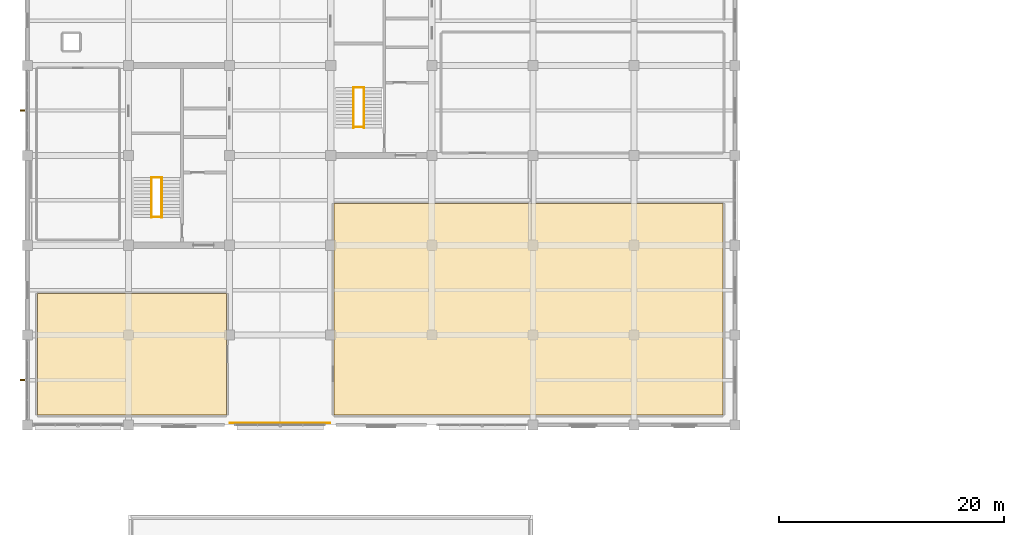
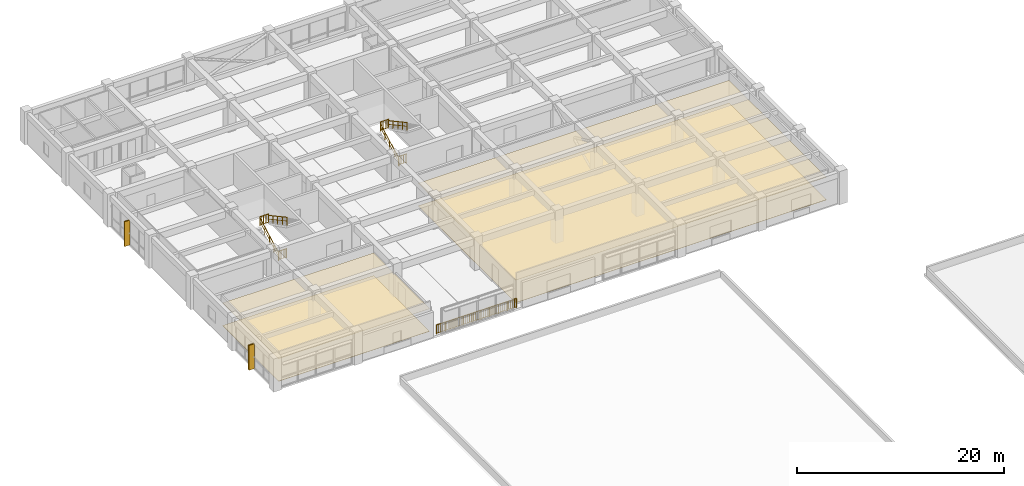
# One storey, part 22 of 23: 9 railings, 4 coverings, 2 shading devices.
"""IFC4 building model written with IfcOpenShell, lengths in metres."""

from ifc_helpers import new_model, si_unit, direction, frame, frame_2d, origin, origin_2d, place, context, subcontext, project, spatial, polyline, rectangle, circle, outline, extrude, material, layer, layer_set, type_object, element, save


model = new_model("IFC4")

# Units and contexts
model_context = context("Model", 3, precision=1e-05, world=origin(), true_north=direction((0.0, 1.0)))
body_context = subcontext(model_context, "Body", "Model", "MODEL_VIEW")
ifc_project = project(units=[si_unit("LENGTHUNIT", "METRE"), si_unit("AREAUNIT", "SQUARE_METRE"), si_unit("VOLUMEUNIT", "CUBIC_METRE"), si_unit("PLANEANGLEUNIT", "RADIAN"), si_unit("MASSUNIT", "GRAM", prefix="KILO")], contexts=[model_context])

# Site, building, storey
site_placement = place(None, origin())
site = spatial("IfcSite", under=ifc_project, at=site_placement, CompositionType="ELEMENT")
building_placement = place(site_placement, origin())
building = spatial("IfcBuilding", under=site, at=building_placement, Name="Zaverband Oceanarium and Marine Research Institute", CompositionType="ELEMENT")
storey_placement = place(building_placement, frame((0.0, 0.0, 21.89990234375)))
storey = spatial("IfcBuildingStorey", under=building, at=storey_placement, Name="L05", CompositionType="ELEMENT", Elevation=21.89990234375)

# Coverings
ifc_material_1 = material(Name="Perforated mineral-fibre acoustic ceiling tile")
ifc_layer_1 = layer(ifc_material_1, 0.02490234375, Name="Perforated mineral-fibre acoustic ceiling tile")
ifc_layer_set_1 = layer_set([ifc_layer_1], Name="Perforated mineral-fibre acoustic ceiling tile")
covering_type_1 = type_object("IfcCoveringType", Name="CLG-AC-15", PredefinedType="CEILING", material=ifc_layer_set_1)
covering_1_placement = place(storey_placement, frame((0.0, 0.0, 2.66015625)))
element("IfcCovering", 1, at=covering_1_placement, inside=storey, type_object=covering_type_1, Name="Suspended acoustic ceiling CLG-AC-15", PredefinedType="CEILING", context=body_context, shape_type="SweptSolid", body=[
    extrude(outline(polyline([(9.889892578125, 64.889892578125), (26.7099609375, 64.889892578125), (26.7099609375, 75.7099609375), (9.889892578125, 75.7099609375), (9.889892578125, 64.889892578125)])), origin(), (0.0, 0.0, 1.0), 0.02490234375),
])
covering_2_placement = place(storey_placement, frame((0.0, 0.0, 2.66015625)))
element("IfcCovering", 2, at=covering_2_placement, inside=storey, type_object=covering_type_1, Name="Suspended acoustic ceiling CLG-AC-15", PredefinedType="CEILING", context=body_context, shape_type="SweptSolid", body=[
    extrude(outline(polyline([(36.2900390625, 64.889892578125), (70.909912109375, 64.889892578125), (70.909912109375, 83.7099609375), (36.2900390625, 83.7099609375), (36.2900390625, 64.889892578125)])), origin(), (0.0, 0.0, 1.0), 0.02490234375),
])
ifc_material_2 = material(Name="Polished marine terrazzo and seamless laboratory epoxy flooring")
ifc_layer_2 = layer(ifc_material_2, 0.02490234375, Name="Polished marine terrazzo and seamless laboratory epoxy flooring")
ifc_layer_set_2 = layer_set([ifc_layer_2], Name="Polished marine terrazzo and seamless laboratory epoxy flooring")
covering_type_2 = type_object("IfcCoveringType", Name="FLR-TRZ-20", PredefinedType="FLOORING", material=ifc_layer_set_2)
covering_3_placement = place(storey_placement, origin())
element("IfcCovering", 3, at=covering_3_placement, inside=storey, type_object=covering_type_2, Name="Terrazzo and marine epoxy floor finish FLR-TRZ-20", PredefinedType="FLOORING", context=body_context, shape_type="SweptSolid", body=[
    extrude(outline(polyline([(9.889892578125, 64.889892578125), (26.7099609375, 64.889892578125), (26.7099609375, 75.7099609375), (9.889892578125, 75.7099609375), (9.889892578125, 64.889892578125)])), origin(), (0.0, 0.0, 1.0), 0.025146484375),
])
covering_4_placement = place(storey_placement, origin())
element("IfcCovering", 4, at=covering_4_placement, inside=storey, type_object=covering_type_2, Name="Terrazzo and marine epoxy floor finish FLR-TRZ-20", PredefinedType="FLOORING", context=body_context, shape_type="SweptSolid", body=[
    extrude(outline(polyline([(36.2900390625, 64.889892578125), (70.909912109375, 64.889892578125), (70.909912109375, 83.7099609375), (36.2900390625, 83.7099609375), (36.2900390625, 64.889892578125)])), origin(), (0.0, 0.0, 1.0), 0.025146484375),
])

# Railings
ifc_material_3 = material(Name="Steel S355", Category="steel")
ifc_layer_3 = layer(ifc_material_3, 0.06005859375, Name="Steel S355")
ifc_layer_set_3 = layer_set([ifc_layer_3], Name="Steel S355")
railing_type_1 = type_object("IfcRailingType", Name="GRD-1100", PredefinedType="BALUSTRADE", material=ifc_layer_set_3)
for number, where, name in (
    (5, (20.0400390625, 86.030029296875, 1.9501953125), "1100 mm steel post-and-baluster safety guard GRD-1100"),
    (6, (20.0400390625, 82.530029296875, 0.0), "1100 mm steel post-and-baluster safety guard GRD-1100"),
    (7, (38.0400390625, 94.030029296875, 1.9501953125), "1100 mm steel post-and-baluster safety guard GRD-1100"),
    (8, (38.0400390625, 90.530029296875, 0.0), "1100 mm steel post-and-baluster safety guard GRD-1100"),
):
    element("IfcRailing", number, at=place(storey_placement, frame(where)), inside=storey, type_object=railing_type_1, Name=name, PredefinedType="BALUSTRADE", context=body_context, shape_type="SweptSolid", body=[
        extrude(circle(Radius=0.02392578125, at=origin_2d()), frame((0.0, 0.0, 1.076171875), z_axis=(1.0, 0.0, 0.0), x_axis=(0.0, 1.0, 0.0)), (0.0, 0.0, 1.0), 0.919921875),
        extrude(circle(Radius=0.009033203125, at=origin_2d()), frame((0.0, 0.0, 0.10009765625), z_axis=(1.0, 0.0, 0.0), x_axis=(0.0, 1.0, 0.0)), (0.0, 0.0, 1.0), 0.919921875),
        extrude(circle(Radius=0.009033203125, at=origin_2d()), frame((0.18408203125, 0.0, 0.10009765625)), (0.0, 0.0, 1.0), 0.951904296875),
        extrude(circle(Radius=0.009033203125, at=origin_2d()), frame((0.367919921875, 0.0, 0.10009765625)), (0.0, 0.0, 1.0), 0.951904296875),
        extrude(circle(Radius=0.009033203125, at=origin_2d()), frame((0.552001953125, 0.0, 0.10009765625)), (0.0, 0.0, 1.0), 0.951904296875),
        extrude(circle(Radius=0.009033203125, at=origin_2d()), frame((0.73583984375, 0.0, 0.10009765625)), (0.0, 0.0, 1.0), 0.951904296875),
        extrude(circle(Radius=0.02099609375, at=origin_2d()), origin(), (0.0, 0.0, 1.0), 1.052001953125),
        extrude(circle(Radius=0.02099609375, at=origin_2d()), frame((0.919921875, 0.0, 0.0)), (0.0, 0.0, 1.0), 1.052001953125),
    ])
railing_1_placement = place(storey_placement, frame((27.050048828125, 64.179931640625, 0.0)))
element("IfcRailing", 9, at=railing_1_placement, inside=storey, type_object=railing_type_1, Name="1100 mm steel post-and-baluster safety guard GRD-1100", PredefinedType="BALUSTRADE", context=body_context, shape_type="SweptSolid", body=[
    extrude(circle(Radius=0.02392578125, at=origin_2d()), frame((0.0, 0.0, 1.076171875), z_axis=(1.0, 0.0, 0.0), x_axis=(0.0, 1.0, 0.0)), (0.0, 0.0, 1.0), 8.89990234375),
    extrude(circle(Radius=0.009033203125, at=origin_2d()), frame((0.0, 0.0, 0.10009765625), z_axis=(1.0, 0.0, 0.0), x_axis=(0.0, 1.0, 0.0)), (0.0, 0.0, 1.0), 8.89990234375),
    extrude(circle(Radius=0.009033203125, at=origin_2d()), frame((0.217041015625, 0.0, 0.10009765625)), (0.0, 0.0, 1.0), 0.951904296875),
    extrude(circle(Radius=0.009033203125, at=origin_2d()), frame((0.43408203125, 0.0, 0.10009765625)), (0.0, 0.0, 1.0), 0.951904296875),
    extrude(circle(Radius=0.009033203125, at=origin_2d()), frame((0.651123046875, 0.0, 0.10009765625)), (0.0, 0.0, 1.0), 0.951904296875),
    extrude(circle(Radius=0.009033203125, at=origin_2d()), frame((0.8681640625, 0.0, 0.10009765625)), (0.0, 0.0, 1.0), 0.951904296875),
    extrude(circle(Radius=0.009033203125, at=origin_2d()), frame((1.08544921875, 0.0, 0.10009765625)), (0.0, 0.0, 1.0), 0.951904296875),
    extrude(circle(Radius=0.009033203125, at=origin_2d()), frame((1.302490234375, 0.0, 0.10009765625)), (0.0, 0.0, 1.0), 0.951904296875),
    extrude(circle(Radius=0.009033203125, at=origin_2d()), frame((1.51953125, 0.0, 0.10009765625)), (0.0, 0.0, 1.0), 0.951904296875),
    extrude(circle(Radius=0.009033203125, at=origin_2d()), frame((1.736572265625, 0.0, 0.10009765625)), (0.0, 0.0, 1.0), 0.951904296875),
    extrude(circle(Radius=0.009033203125, at=origin_2d()), frame((1.95361328125, 0.0, 0.10009765625)), (0.0, 0.0, 1.0), 0.951904296875),
    extrude(circle(Radius=0.009033203125, at=origin_2d()), frame((2.170654296875, 0.0, 0.10009765625)), (0.0, 0.0, 1.0), 0.951904296875),
    extrude(circle(Radius=0.009033203125, at=origin_2d()), frame((2.3876953125, 0.0, 0.10009765625)), (0.0, 0.0, 1.0), 0.951904296875),
    extrude(circle(Radius=0.009033203125, at=origin_2d()), frame((2.604736328125, 0.0, 0.10009765625)), (0.0, 0.0, 1.0), 0.951904296875),
    extrude(circle(Radius=0.009033203125, at=origin_2d()), frame((2.822021484375, 0.0, 0.10009765625)), (0.0, 0.0, 1.0), 0.951904296875),
    extrude(circle(Radius=0.009033203125, at=origin_2d()), frame((3.0390625, 0.0, 0.10009765625)), (0.0, 0.0, 1.0), 0.951904296875),
    extrude(circle(Radius=0.009033203125, at=origin_2d()), frame((3.256103515625, 0.0, 0.10009765625)), (0.0, 0.0, 1.0), 0.951904296875),
    extrude(circle(Radius=0.009033203125, at=origin_2d()), frame((3.47314453125, 0.0, 0.10009765625)), (0.0, 0.0, 1.0), 0.951904296875),
    extrude(circle(Radius=0.009033203125, at=origin_2d()), frame((3.690185546875, 0.0, 0.10009765625)), (0.0, 0.0, 1.0), 0.951904296875),
    extrude(circle(Radius=0.009033203125, at=origin_2d()), frame((3.9072265625, 0.0, 0.10009765625)), (0.0, 0.0, 1.0), 0.951904296875),
    extrude(circle(Radius=0.009033203125, at=origin_2d()), frame((4.124267578125, 0.0, 0.10009765625)), (0.0, 0.0, 1.0), 0.951904296875),
    extrude(circle(Radius=0.009033203125, at=origin_2d()), frame((4.34130859375, 0.0, 0.10009765625)), (0.0, 0.0, 1.0), 0.951904296875),
    extrude(circle(Radius=0.009033203125, at=origin_2d()), frame((4.55859375, 0.0, 0.10009765625)), (0.0, 0.0, 1.0), 0.951904296875),
    extrude(circle(Radius=0.009033203125, at=origin_2d()), frame((4.775634765625, 0.0, 0.10009765625)), (0.0, 0.0, 1.0), 0.951904296875),
    extrude(circle(Radius=0.009033203125, at=origin_2d()), frame((4.99267578125, 0.0, 0.10009765625)), (0.0, 0.0, 1.0), 0.951904296875),
    extrude(circle(Radius=0.009033203125, at=origin_2d()), frame((5.209716796875, 0.0, 0.10009765625)), (0.0, 0.0, 1.0), 0.951904296875),
    extrude(circle(Radius=0.009033203125, at=origin_2d()), frame((5.4267578125, 0.0, 0.10009765625)), (0.0, 0.0, 1.0), 0.951904296875),
    extrude(circle(Radius=0.009033203125, at=origin_2d()), frame((5.643798828125, 0.0, 0.10009765625)), (0.0, 0.0, 1.0), 0.951904296875),
    extrude(circle(Radius=0.009033203125, at=origin_2d()), frame((5.86083984375, 0.0, 0.10009765625)), (0.0, 0.0, 1.0), 0.951904296875),
    extrude(circle(Radius=0.009033203125, at=origin_2d()), frame((6.077880859375, 0.0, 0.10009765625)), (0.0, 0.0, 1.0), 0.951904296875),
    extrude(circle(Radius=0.009033203125, at=origin_2d()), frame((6.295166015625, 0.0, 0.10009765625)), (0.0, 0.0, 1.0), 0.951904296875),
    extrude(circle(Radius=0.009033203125, at=origin_2d()), frame((6.51220703125, 0.0, 0.10009765625)), (0.0, 0.0, 1.0), 0.951904296875),
    extrude(circle(Radius=0.009033203125, at=origin_2d()), frame((6.729248046875, 0.0, 0.10009765625)), (0.0, 0.0, 1.0), 0.951904296875),
    extrude(circle(Radius=0.009033203125, at=origin_2d()), frame((6.9462890625, 0.0, 0.10009765625)), (0.0, 0.0, 1.0), 0.951904296875),
    extrude(circle(Radius=0.009033203125, at=origin_2d()), frame((7.163330078125, 0.0, 0.10009765625)), (0.0, 0.0, 1.0), 0.951904296875),
    extrude(circle(Radius=0.009033203125, at=origin_2d()), frame((7.38037109375, 0.0, 0.10009765625)), (0.0, 0.0, 1.0), 0.951904296875),
    extrude(circle(Radius=0.009033203125, at=origin_2d()), frame((7.597412109375, 0.0, 0.10009765625)), (0.0, 0.0, 1.0), 0.951904296875),
    extrude(circle(Radius=0.009033203125, at=origin_2d()), frame((7.814453125, 0.0, 0.10009765625)), (0.0, 0.0, 1.0), 0.951904296875),
    extrude(circle(Radius=0.009033203125, at=origin_2d()), frame((8.03173828125, 0.0, 0.10009765625)), (0.0, 0.0, 1.0), 0.951904296875),
    extrude(circle(Radius=0.009033203125, at=origin_2d()), frame((8.248779296875, 0.0, 0.10009765625)), (0.0, 0.0, 1.0), 0.951904296875),
    extrude(circle(Radius=0.009033203125, at=origin_2d()), frame((8.4658203125, 0.0, 0.10009765625)), (0.0, 0.0, 1.0), 0.951904296875),
    extrude(circle(Radius=0.009033203125, at=origin_2d()), frame((8.682861328125, 0.0, 0.10009765625)), (0.0, 0.0, 1.0), 0.951904296875),
    extrude(circle(Radius=0.02099609375, at=origin_2d()), origin(), (0.0, 0.0, 1.0), 1.052001953125),
    extrude(circle(Radius=0.02099609375, at=origin_2d()), frame((0.98876953125, 0.0, 0.0)), (0.0, 0.0, 1.0), 1.052001953125),
    extrude(circle(Radius=0.02099609375, at=origin_2d()), frame((1.977783203125, 0.0, 0.0)), (0.0, 0.0, 1.0), 1.052001953125),
    extrude(circle(Radius=0.02099609375, at=origin_2d()), frame((2.966552734375, 0.0, 0.0)), (0.0, 0.0, 1.0), 1.052001953125),
    extrude(circle(Radius=0.02099609375, at=origin_2d()), frame((3.95556640625, 0.0, 0.0)), (0.0, 0.0, 1.0), 1.052001953125),
    extrude(circle(Radius=0.02099609375, at=origin_2d()), frame((4.9443359375, 0.0, 0.0)), (0.0, 0.0, 1.0), 1.052001953125),
    extrude(circle(Radius=0.02099609375, at=origin_2d()), frame((5.933349609375, 0.0, 0.0)), (0.0, 0.0, 1.0), 1.052001953125),
    extrude(circle(Radius=0.02099609375, at=origin_2d()), frame((6.922119140625, 0.0, 0.0)), (0.0, 0.0, 1.0), 1.052001953125),
    extrude(circle(Radius=0.02099609375, at=origin_2d()), frame((7.9111328125, 0.0, 0.0)), (0.0, 0.0, 1.0), 1.052001953125),
    extrude(circle(Radius=0.02099609375, at=origin_2d()), frame((8.89990234375, 0.0, 0.0)), (0.0, 0.0, 1.0), 1.052001953125),
])
ifc_layer_4 = layer(ifc_material_3, 0.050048828125, Name="Steel S355")
ifc_layer_set_4 = layer_set([ifc_layer_4], Name="Steel S355")
railing_type_2 = type_object("IfcRailingType", Name="HR-920", PredefinedType="HANDRAIL", material=ifc_layer_set_4)
railing_2_placement = place(storey_placement, frame((20.0400390625, 82.449951171875, 0.0)))
element("IfcRailing", 10, at=railing_2_placement, inside=storey, type_object=railing_type_2, Name="920 mm continuous tubular stair and ramp handrail HR-920", PredefinedType="HANDRAIL", context=body_context, shape_type="SweptSolid", body=[
    extrude(circle(Radius=0.02392578125, at=origin_2d()), frame((0.0, 0.0, 0.89599609375), z_axis=(0.0, 0.879277399237, 0.476310041035), x_axis=(-1.0, 0.0, 0.0)), (0.0, 0.0, 1.0), 4.094482421875),
    extrude(circle(Radius=0.009033203125, at=origin_2d()), frame((0.0, 0.0, 0.4599609375), z_axis=(0.0, 0.879277399237, 0.476310041035), x_axis=(-1.0, 0.0, 0.0)), (0.0, 0.0, 1.0), 4.094482421875),
    extrude(circle(Radius=0.02099609375, at=origin_2d()), origin(), (0.0, 0.0, 1.0), 0.871826171875),
    extrude(circle(Radius=0.02099609375, at=origin_2d()), frame((0.0, 0.89990234375, 0.487548828125)), (0.0, 0.0, 1.0), 0.871826171875),
    extrude(circle(Radius=0.02099609375, at=origin_2d()), frame((0.0, 1.800048828125, 0.97509765625)), (0.0, 0.0, 1.0), 0.871826171875),
    extrude(circle(Radius=0.02099609375, at=origin_2d()), frame((0.0, 2.7001953125, 1.462646484375)), (0.0, 0.0, 1.0), 0.871826171875),
    extrude(circle(Radius=0.02099609375, at=origin_2d()), frame((0.0, 3.60009765625, 1.9501953125)), (0.0, 0.0, 1.0), 0.871826171875),
])
railing_3_placement = place(storey_placement, frame((20.9599609375, 86.050048828125, 1.9501953125)))
element("IfcRailing", 11, at=railing_3_placement, inside=storey, type_object=railing_type_2, Name="920 mm continuous tubular stair and ramp handrail HR-920", PredefinedType="HANDRAIL", context=body_context, shape_type="SweptSolid", body=[
    extrude(circle(Radius=0.02392578125, at=origin_2d()), frame((0.0, 0.0, 0.89599609375), z_axis=(0.0, -0.879302371543, 0.476263938798), x_axis=(1.0, 0.0, 0.0)), (0.0, 0.0, 1.0), 4.09423828125),
    extrude(circle(Radius=0.009033203125, at=origin_2d()), frame((0.0, 0.0, 0.4599609375), z_axis=(0.0, -0.879302371543, 0.476263938798), x_axis=(1.0, 0.0, 0.0)), (0.0, 0.0, 1.0), 4.09423828125),
    extrude(circle(Radius=0.02099609375, at=origin_2d()), origin(), (0.0, 0.0, 1.0), 0.871826171875),
    extrude(circle(Radius=0.02099609375, at=origin_2d()), frame((0.0, -0.89990234375, 0.487548828125)), (0.0, 0.0, 1.0), 0.871826171875),
    extrude(circle(Radius=0.02099609375, at=origin_2d()), frame((0.0, -1.800048828125, 0.97509765625)), (0.0, 0.0, 1.0), 0.871826171875),
    extrude(circle(Radius=0.02099609375, at=origin_2d()), frame((0.0, -2.7001953125, 1.46240234375)), (0.0, 0.0, 1.0), 0.871826171875),
    extrude(circle(Radius=0.02099609375, at=origin_2d()), frame((0.0, -3.60009765625, 1.949951171875)), (0.0, 0.0, 1.0), 0.871826171875),
])
railing_4_placement = place(storey_placement, frame((38.0400390625, 90.449951171875, 0.0)))
element("IfcRailing", 12, at=railing_4_placement, inside=storey, type_object=railing_type_2, Name="920 mm continuous tubular stair and ramp handrail HR-920", PredefinedType="HANDRAIL", context=body_context, shape_type="SweptSolid", body=[
    extrude(circle(Radius=0.02392578125, at=origin_2d()), frame((0.0, 0.0, 0.89599609375), z_axis=(0.0, 0.879277399237, 0.476310041035), x_axis=(-1.0, 0.0, 0.0)), (0.0, 0.0, 1.0), 4.094482421875),
    extrude(circle(Radius=0.009033203125, at=origin_2d()), frame((0.0, 0.0, 0.4599609375), z_axis=(0.0, 0.879277399237, 0.476310041035), x_axis=(-1.0, 0.0, 0.0)), (0.0, 0.0, 1.0), 4.094482421875),
    extrude(circle(Radius=0.02099609375, at=origin_2d()), origin(), (0.0, 0.0, 1.0), 0.871826171875),
    extrude(circle(Radius=0.02099609375, at=origin_2d()), frame((0.0, 0.89990234375, 0.487548828125)), (0.0, 0.0, 1.0), 0.871826171875),
    extrude(circle(Radius=0.02099609375, at=origin_2d()), frame((0.0, 1.800048828125, 0.97509765625)), (0.0, 0.0, 1.0), 0.871826171875),
    extrude(circle(Radius=0.02099609375, at=origin_2d()), frame((0.0, 2.7001953125, 1.462646484375)), (0.0, 0.0, 1.0), 0.871826171875),
    extrude(circle(Radius=0.02099609375, at=origin_2d()), frame((0.0, 3.60009765625, 1.9501953125)), (0.0, 0.0, 1.0), 0.871826171875),
])
railing_5_placement = place(storey_placement, frame((38.9599609375, 94.050048828125, 1.9501953125)))
element("IfcRailing", 13, at=railing_5_placement, inside=storey, type_object=railing_type_2, Name="920 mm continuous tubular stair and ramp handrail HR-920", PredefinedType="HANDRAIL", context=body_context, shape_type="SweptSolid", body=[
    extrude(circle(Radius=0.02392578125, at=origin_2d()), frame((0.0, 0.0, 0.89599609375), z_axis=(0.0, -0.879302371543, 0.476263938798), x_axis=(1.0, 0.0, 0.0)), (0.0, 0.0, 1.0), 4.09423828125),
    extrude(circle(Radius=0.009033203125, at=origin_2d()), frame((0.0, 0.0, 0.4599609375), z_axis=(0.0, -0.879302371543, 0.476263938798), x_axis=(1.0, 0.0, 0.0)), (0.0, 0.0, 1.0), 4.09423828125),
    extrude(circle(Radius=0.02099609375, at=origin_2d()), origin(), (0.0, 0.0, 1.0), 0.871826171875),
    extrude(circle(Radius=0.02099609375, at=origin_2d()), frame((0.0, -0.89990234375, 0.487548828125)), (0.0, 0.0, 1.0), 0.871826171875),
    extrude(circle(Radius=0.02099609375, at=origin_2d()), frame((0.0, -1.800048828125, 0.97509765625)), (0.0, 0.0, 1.0), 0.871826171875),
    extrude(circle(Radius=0.02099609375, at=origin_2d()), frame((0.0, -2.7001953125, 1.46240234375)), (0.0, 0.0, 1.0), 0.871826171875),
    extrude(circle(Radius=0.02099609375, at=origin_2d()), frame((0.0, -3.60009765625, 1.949951171875)), (0.0, 0.0, 1.0), 0.871826171875),
])

# Shading devices
ifc_material_4 = material(Name="Concrete C40/50 precast brise-soleil", Category="concrete")
ifc_layer_5 = layer(ifc_material_4, 0.139892578125, Name="Concrete C40/50 precast brise-soleil")
ifc_layer_set_5 = layer_set([ifc_layer_5], Name="Concrete C40/50 precast brise-soleil")
shading_device_type = type_object("IfcShadingDeviceType", Name="SHD-FIN-600", PredefinedType="JALOUSIE", material=ifc_layer_set_5)
for number, where, z_axis, x_axis, name in (
    (14, (8.93994140625, 68.0, 0.0), (0.0, 0.0, 1.0), (-1.0, 0.0, 0.0), "600 mm vertical precast brise-soleil fin SHD-FIN-600"),
    (15, (8.93994140625, 92.0, 0.0), (0.0, 0.0, 1.0), (-1.0, 0.0, 0.0), "600 mm vertical precast brise-soleil fin SHD-FIN-600"),
):
    element("IfcShadingDevice", number, at=place(storey_placement, frame(where, z_axis=z_axis, x_axis=x_axis)), inside=storey, type_object=shading_device_type, Name=name, PredefinedType="JALOUSIE", context=body_context, shape_type="SweptSolid", body=[
        extrude(rectangle(XDim=0.599853515625, YDim=0.139892578125, at=frame_2d((0.2998046875, 0.0))), origin(), (0.0, 0.0, 1.0), 2.93017578125),
    ])

save(model, "model.ifc")
